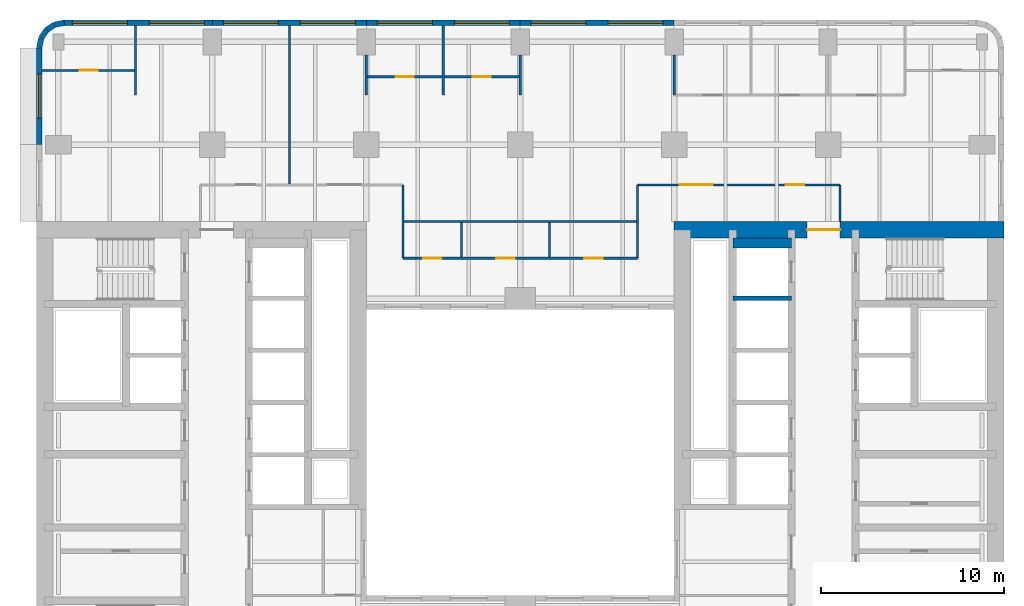
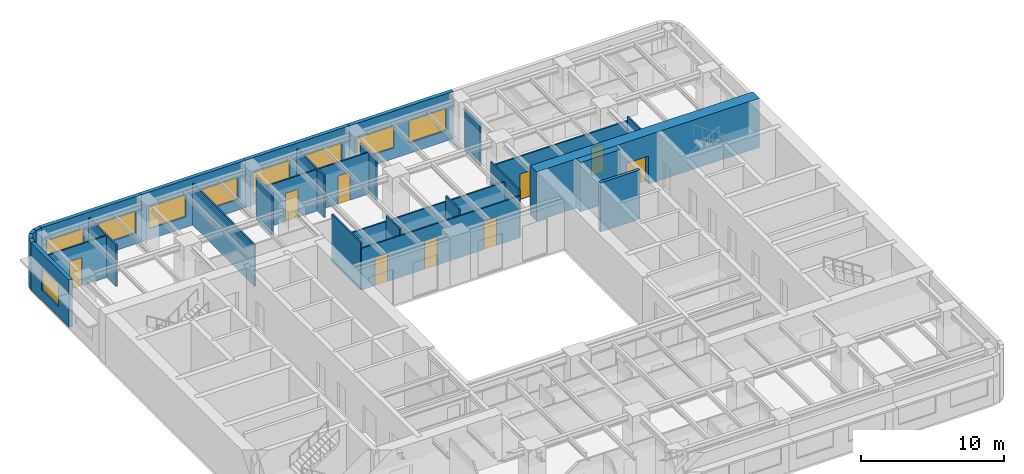
# One storey, part 7 of 11: 29 walls, 9 doors, 9 windows, 18 openings.
"""IFC4 building model written with IfcOpenShell, lengths in metres."""

from ifc_helpers import new_model, si_unit, direction, frame, frame_2d, origin, place, context, subcontext, project, spatial, rectangle, extrude, material, layer, layer_set, type_object, element, fill, save


model = new_model("IFC4")

# Units and contexts
model_context = context("Model", 3, precision=1e-05, world=origin(), true_north=direction((0.0, 1.0)))
body_context = subcontext(model_context, "Body", "Model", "MODEL_VIEW")
ifc_project = project(units=[si_unit("LENGTHUNIT", "METRE"), si_unit("AREAUNIT", "SQUARE_METRE"), si_unit("VOLUMEUNIT", "CUBIC_METRE"), si_unit("PLANEANGLEUNIT", "RADIAN"), si_unit("MASSUNIT", "GRAM", prefix="KILO")], contexts=[model_context])

# Site, building, storey
site_placement = place(None, origin())
site = spatial("IfcSite", under=ifc_project, at=site_placement, CompositionType="ELEMENT")
building_placement = place(site_placement, origin())
building = spatial("IfcBuilding", under=site, at=building_placement, Name="Claustro Exchange Tower", CompositionType="ELEMENT")
storey_placement = place(building_placement, frame((0.0, 0.0, 159.60009765625)))
storey = spatial("IfcBuildingStorey", under=building, at=storey_placement, Name="L36", CompositionType="ELEMENT", Elevation=159.60009765625)

# Wall, opening, door
ifc_material_1 = material(Name="Laminated glass in aluminium frame", Category="aluminium")
ifc_layer_1 = layer(ifc_material_1, 0.1201171875)
ifc_layer_set_1 = layer_set([ifc_layer_1], Name="Laminated glass in aluminium frame")
wall_type_1 = type_object("IfcWallType", Name="P2 120 glazed partition", PredefinedType="PARTITIONING", material=ifc_layer_set_1)
wall_1_placement = place(storey_placement, frame((-0.902099609375, 46.050048828125, 0.0), z_axis=(0.0, 0.0, 1.0), x_axis=(1.0, 0.0, 0.0)))
wall_1 = element("IfcWall", 1, at=wall_1_placement, inside=storey, type_object=wall_type_1, Name="Partition P2 L36", PredefinedType="PARTITIONING", context=body_context, shape_type="SweptSolid", body=[
    extrude(rectangle(XDim=5.044189453125, YDim=0.1201171875, at=frame_2d((2.52197265625, 0.0))), origin(), (0.0, 0.0, 1.0), 3.559814453125),
])
opening_1_placement = place(wall_1_placement, frame((2.052001953125, 0.0, 0.0)))
opening_1 = element("IfcOpeningElement", 2, at=opening_1_placement, cuts=wall_1, Name="Opening D7", PredefinedType="OPENING", context=body_context, shape_type="SweptSolid", body=[
    extrude(rectangle(XDim=1.0, YDim=2.39990234375, at=frame_2d((0.5, 1.199951171875))), frame((0.0, 0.070068359375, 0.0), z_axis=(0.0, -1.0, 0.0), x_axis=(1.0, 0.0, 0.0)), (0.0, 0.0, 1.0), 0.14013671875),
])
ifc_material_2 = material(Name="Glass door in aluminium frame", Category="aluminium")
door_type_1 = type_object("IfcDoorType", Name="D7 1000 x 2400 glazed door", OperationType="SINGLE_SWING_LEFT", PredefinedType="DOOR", material=ifc_material_2)
door_1_placement = place(opening_1_placement, origin())
door_1 = element("IfcDoor", 3, at=door_1_placement, inside=storey, type_object=door_type_1, Name="Door D7 L36", OperationType="SINGLE_SWING_RIGHT", OverallHeight=2.39990234375, OverallWidth=1.0, PredefinedType="DOOR", context=body_context, shape_type="SweptSolid", body=[
    extrude(rectangle(XDim=1.0, YDim=2.39990234375, at=frame_2d((0.5, 1.199951171875))), frame((0.0, 0.02490234375, 0.0), z_axis=(0.0, -1.0, 0.0), x_axis=(1.0, 0.0, 0.0)), (0.0, 0.0, 1.0), 0.050048828125),
])
fill(opening_1, door_1)

# Wall
wall_2_placement = place(storey_placement, frame((4.199951171875, 44.699951171875, 0.0), z_axis=(0.0, 0.0, 1.0), x_axis=(0.0, 1.0, 0.0)))
element("IfcWall", 4, at=wall_2_placement, inside=storey, type_object=wall_type_1, Name="Partition P2 L36", PredefinedType="PARTITIONING", context=body_context, shape_type="SweptSolid", body=[
    extrude(rectangle(XDim=3.802001953125, YDim=0.1201171875, at=frame_2d((1.90087890625, 0.0))), origin(), (0.0, 0.0, 1.0), 3.559814453125),
])

# Wall, opening, door
wall_3_placement = place(storey_placement, frame((16.85791015625, 45.699951171875, 0.0), z_axis=(0.0, 0.0, 1.0), x_axis=(1.0, 0.0, 0.0)))
wall_3 = element("IfcWall", 5, at=wall_3_placement, inside=storey, type_object=wall_type_1, Name="Partition P2 L36", PredefinedType="PARTITIONING", context=body_context, shape_type="SweptSolid", body=[
    extrude(rectangle(XDim=4.083984375, YDim=0.1201171875, at=frame_2d((2.0419921875, 0.0))), origin(), (0.0, 0.0, 1.0), 3.5498046875),
])
opening_2_placement = place(wall_3_placement, frame((1.5419921875, 0.0, 0.0)))
opening_2 = element("IfcOpeningElement", 6, at=opening_2_placement, cuts=wall_3, Name="Opening D7", PredefinedType="OPENING", context=body_context, shape_type="SweptSolid", body=[
    extrude(rectangle(XDim=1.0, YDim=2.39990234375, at=frame_2d((0.5, 1.199951171875))), frame((0.0, 0.070068359375, 0.0), z_axis=(0.0, -1.0, 0.0), x_axis=(1.0, 0.0, 0.0)), (0.0, 0.0, 1.0), 0.14013671875),
])
door_2_placement = place(opening_2_placement, origin())
door_2 = element("IfcDoor", 7, at=door_2_placement, inside=storey, type_object=door_type_1, Name="Door D7 L36", OperationType="SINGLE_SWING_RIGHT", OverallHeight=2.39990234375, OverallWidth=1.0, PredefinedType="DOOR", context=body_context, shape_type="SweptSolid", body=[
    extrude(rectangle(XDim=1.0, YDim=2.39990234375, at=frame_2d((0.5, 1.199951171875))), frame((0.0, 0.02490234375, 0.0), z_axis=(0.0, -1.0, 0.0), x_axis=(1.0, 0.0, 0.0)), (0.0, 0.0, 1.0), 0.050048828125),
])
fill(opening_2, door_2)

wall_4_placement = place(storey_placement, frame((21.05810546875, 45.699951171875, 0.0), z_axis=(0.0, 0.0, 1.0), x_axis=(1.0, 0.0, 0.0)))
wall_4 = element("IfcWall", 8, at=wall_4_placement, inside=storey, type_object=wall_type_1, Name="Partition P2 L36", PredefinedType="PARTITIONING", context=body_context, shape_type="SweptSolid", body=[
    extrude(rectangle(XDim=4.083984375, YDim=0.1201171875, at=frame_2d((2.0419921875, 0.0))), origin(), (0.0, 0.0, 1.0), 3.5498046875),
])
opening_3_placement = place(wall_4_placement, frame((1.5419921875, 0.0, 0.0)))
opening_3 = element("IfcOpeningElement", 9, at=opening_3_placement, cuts=wall_4, Name="Opening D7", PredefinedType="OPENING", context=body_context, shape_type="SweptSolid", body=[
    extrude(rectangle(XDim=1.0, YDim=2.39990234375, at=frame_2d((0.5, 1.199951171875))), frame((0.0, 0.070068359375, 0.0), z_axis=(0.0, -1.0, 0.0), x_axis=(1.0, 0.0, 0.0)), (0.0, 0.0, 1.0), 0.14013671875),
])
door_3_placement = place(opening_3_placement, origin())
door_3 = element("IfcDoor", 10, at=door_3_placement, inside=storey, type_object=door_type_1, Name="Door D7 L36", OperationType="SINGLE_SWING_RIGHT", OverallHeight=2.39990234375, OverallWidth=1.0, PredefinedType="DOOR", context=body_context, shape_type="SweptSolid", body=[
    extrude(rectangle(XDim=1.0, YDim=2.39990234375, at=frame_2d((0.5, 1.199951171875))), frame((0.0, 0.02490234375, 0.0), z_axis=(0.0, -1.0, 0.0), x_axis=(1.0, 0.0, 0.0)), (0.0, 0.0, 1.0), 0.050048828125),
])
fill(opening_3, door_3)

# Walls
wall_5_placement = place(storey_placement, frame((16.800048828125, 44.699951171875, 0.0), z_axis=(0.0, 0.0, 1.0), x_axis=(0.0, 1.0, 0.0)))
element("IfcWall", 11, at=wall_5_placement, inside=storey, type_object=wall_type_1, Name="Partition P2 L36", PredefinedType="PARTITIONING", context=body_context, shape_type="SweptSolid", body=[
    extrude(rectangle(XDim=2.200927734375, YDim=0.1201171875, at=frame_2d((1.1005859375, 0.0))), origin(), (0.0, 0.0, 1.0), 3.5498046875),
])
wall_6_placement = place(storey_placement, frame((21.0, 44.699951171875, 0.0), z_axis=(0.0, 0.0, 1.0), x_axis=(0.0, 1.0, 0.0)))
element("IfcWall", 12, at=wall_6_placement, inside=storey, type_object=wall_type_1, Name="Partition P2 L36", PredefinedType="PARTITIONING", context=body_context, shape_type="SweptSolid", body=[
    extrude(rectangle(XDim=3.802001953125, YDim=0.1201171875, at=frame_2d((1.90087890625, 0.0))), origin(), (0.0, 0.0, 1.0), 3.559814453125),
])
for number, where, z_axis, x_axis, name in (
    (13, (25.199951171875, 44.699951171875, 0.0), (0.0, 0.0, 1.0), (0.0, 1.0, 0.0), "Partition P2 L36"),
    (14, (33.60009765625, 44.699951171875, 0.0), (0.0, 0.0, 1.0), (0.0, 1.0, 0.0), "Partition P2 L36"),
):
    element("IfcWall", number, at=place(storey_placement, frame(where, z_axis=z_axis, x_axis=x_axis)), inside=storey, type_object=wall_type_1, Name=name, PredefinedType="PARTITIONING", context=body_context, shape_type="SweptSolid", body=[
        extrude(rectangle(XDim=2.200927734375, YDim=0.1201171875, at=frame_2d((1.1005859375, 0.0))), origin(), (0.0, 0.0, 1.0), 3.5498046875),
    ])
wall_7_placement = place(storey_placement, frame((12.60009765625, 39.85791015625, 0.0), z_axis=(0.0, 0.0, 1.0), x_axis=(0.0, 1.0, 0.0)))
element("IfcWall", 15, at=wall_7_placement, inside=storey, type_object=wall_type_1, Name="Partition P2 L36", PredefinedType="PARTITIONING", context=body_context, shape_type="SweptSolid", body=[
    extrude(rectangle(XDim=8.64404296875, YDim=0.1201171875, at=frame_2d((4.322021484375, 0.0))), origin(), (0.0, 0.0, 1.0), 3.5498046875),
])

# Wall, openings, doors
wall_8_placement = place(storey_placement, frame((31.60009765625, 39.800048828125, 0.0), z_axis=(0.0, 0.0, 1.0), x_axis=(1.0, 0.0, 0.0)))
wall_8 = element("IfcWall", 16, at=wall_8_placement, inside=storey, type_object=wall_type_1, Name="Partition P2 L36", PredefinedType="PARTITIONING", context=body_context, shape_type="SweptSolid", body=[
    extrude(rectangle(XDim=11.0498046875, YDim=0.1201171875, at=frame_2d((5.52490234375, 0.0))), origin(), (0.0, 0.0, 1.0), 3.68994140625),
])
opening_4_placement = place(wall_8_placement, frame((2.300048828125, 0.0, 0.0)))
opening_4 = element("IfcOpeningElement", 17, at=opening_4_placement, cuts=wall_8, Name="Opening D2", PredefinedType="OPENING", context=body_context, shape_type="SweptSolid", body=[
    extrude(rectangle(XDim=1.800048828125, YDim=2.199951171875, at=frame_2d((0.89990234375, 1.10009765625))), frame((0.0, 0.070068359375, 0.0), z_axis=(0.0, -1.0, 0.0), x_axis=(1.0, 0.0, 0.0)), (0.0, 0.0, 1.0), 0.14013671875),
])
opening_5_placement = place(wall_8_placement, frame((8.10009765625, 0.0, 0.0)))
opening_5 = element("IfcOpeningElement", 18, at=opening_5_placement, cuts=wall_8, Name="Opening D7", PredefinedType="OPENING", context=body_context, shape_type="SweptSolid", body=[
    extrude(rectangle(XDim=1.0, YDim=2.39990234375, at=frame_2d((0.5, 1.199951171875))), frame((0.0, 0.070068359375, 0.0), z_axis=(0.0, -1.0, 0.0), x_axis=(1.0, 0.0, 0.0)), (0.0, 0.0, 1.0), 0.14013671875),
])
ifc_material_3 = material(Name="Timber door, oak veneer", Category="wood")
door_type_2 = type_object("IfcDoorType", Name="D2 1800 x 2200 double door", OperationType="DOUBLE_DOOR_SINGLE_SWING", PredefinedType="DOOR", material=ifc_material_3)
door_4_placement = place(opening_4_placement, origin())
door_4 = element("IfcDoor", 19, at=door_4_placement, inside=storey, type_object=door_type_2, Name="Double door D2 L36", OperationType="DOUBLE_DOOR_SINGLE_SWING", OverallHeight=2.199951171875, OverallWidth=1.800048828125, PredefinedType="DOOR", context=body_context, shape_type="SweptSolid", body=[
    extrude(rectangle(XDim=1.800048828125, YDim=2.199951171875, at=frame_2d((0.89990234375, 1.10009765625))), frame((0.0, 0.02490234375, 0.0), z_axis=(0.0, -1.0, 0.0), x_axis=(1.0, 0.0, 0.0)), (0.0, 0.0, 1.0), 0.050048828125),
])
fill(opening_4, door_4)
door_5_placement = place(opening_5_placement, origin())
door_5 = element("IfcDoor", 20, at=door_5_placement, inside=storey, type_object=door_type_1, Name="Door D7 L36", OperationType="SINGLE_SWING_RIGHT", OverallHeight=2.39990234375, OverallWidth=1.0, PredefinedType="DOOR", context=body_context, shape_type="SweptSolid", body=[
    extrude(rectangle(XDim=1.0, YDim=2.39990234375, at=frame_2d((0.5, 1.199951171875))), frame((0.0, 0.02490234375, 0.0), z_axis=(0.0, -1.0, 0.0), x_axis=(1.0, 0.0, 0.0)), (0.0, 0.0, 1.0), 0.050048828125),
])
fill(opening_5, door_5)

# Walls
wall_9_placement = place(storey_placement, frame((42.64990234375, 37.800048828125, 0.0), z_axis=(0.0, 0.0, 1.0), x_axis=(0.0, 1.0, 0.0)))
element("IfcWall", 21, at=wall_9_placement, inside=storey, type_object=wall_type_1, Name="Partition P2 L36", PredefinedType="PARTITIONING", context=body_context, shape_type="SweptSolid", body=[
    extrude(rectangle(XDim=2.0, YDim=0.1201171875, at=frame_2d((1.0, 0.0))), origin(), (0.0, 0.0, 1.0), 4.0498046875),
])
for number, where, z_axis, x_axis, name in (
    (22, (18.800048828125, 35.800048828125, 0.0), (0.0, 0.0, 1.0), (0.0, 1.0, 0.0), "Partition P2 L36"),
    (23, (31.60009765625, 35.800048828125, 0.0), (0.0, 0.0, 1.0), (0.0, 1.0, 0.0), "Partition P2 L36"),
):
    element("IfcWall", number, at=place(storey_placement, frame(where, z_axis=z_axis, x_axis=x_axis)), inside=storey, type_object=wall_type_1, Name=name, PredefinedType="PARTITIONING", context=body_context, shape_type="SweptSolid", body=[
        extrude(rectangle(XDim=4.0, YDim=0.1201171875, at=frame_2d((2.0, 0.0))), origin(), (0.0, 0.0, 1.0), 4.0498046875),
    ])
for number, where, z_axis, x_axis, name in (
    (24, (22.0, 35.85791015625, 0.0), (0.0, 0.0, 1.0), (0.0, 1.0, 0.0), "Partition P2 L36"),
    (25, (26.800048828125, 35.85791015625, 0.0), (0.0, 0.0, 1.0), (0.0, 1.0, 0.0), "Partition P2 L36"),
):
    element("IfcWall", number, at=place(storey_placement, frame(where, z_axis=z_axis, x_axis=x_axis)), inside=storey, type_object=wall_type_1, Name=name, PredefinedType="PARTITIONING", context=body_context, shape_type="SweptSolid", body=[
        extrude(rectangle(XDim=1.884033203125, YDim=0.1201171875, at=frame_2d((0.94189453125, 0.0))), origin(), (0.0, 0.0, 1.0), 4.0498046875),
    ])

# Wall, openings, doors
wall_10_placement = place(storey_placement, frame((18.800048828125, 35.800048828125, 0.0), z_axis=(0.0, 0.0, 1.0), x_axis=(1.0, 0.0, 0.0)))
wall_10 = element("IfcWall", 26, at=wall_10_placement, inside=storey, type_object=wall_type_1, Name="Partition P2 L36", PredefinedType="PARTITIONING", context=body_context, shape_type="SweptSolid", body=[
    extrude(rectangle(XDim=12.800048828125, YDim=0.1201171875, at=frame_2d((6.39990234375, 0.0))), origin(), (0.0, 0.0, 1.0), 3.5498046875),
])
opening_6_placement = place(wall_10_placement, frame((1.10009765625, 0.0, 0.0)))
opening_6 = element("IfcOpeningElement", 27, at=opening_6_placement, cuts=wall_10, Name="Opening D7", PredefinedType="OPENING", context=body_context, shape_type="SweptSolid", body=[
    extrude(rectangle(XDim=1.0, YDim=2.39990234375, at=frame_2d((0.5, 1.199951171875))), frame((0.0, 0.070068359375, 0.0), z_axis=(0.0, -1.0, 0.0), x_axis=(1.0, 0.0, 0.0)), (0.0, 0.0, 1.0), 0.14013671875),
])
opening_7_placement = place(wall_10_placement, frame((5.10009765625, 0.0, 0.0)))
opening_7 = element("IfcOpeningElement", 28, at=opening_7_placement, cuts=wall_10, Name="Opening D7", PredefinedType="OPENING", context=body_context, shape_type="SweptSolid", body=[
    extrude(rectangle(XDim=1.0, YDim=2.39990234375, at=frame_2d((0.5, 1.199951171875))), frame((0.0, 0.070068359375, 0.0), z_axis=(0.0, -1.0, 0.0), x_axis=(1.0, 0.0, 0.0)), (0.0, 0.0, 1.0), 0.14013671875),
])
opening_8_placement = place(wall_10_placement, frame((9.89990234375, 0.0, 0.0)))
opening_8 = element("IfcOpeningElement", 29, at=opening_8_placement, cuts=wall_10, Name="Opening D7", PredefinedType="OPENING", context=body_context, shape_type="SweptSolid", body=[
    extrude(rectangle(XDim=1.0, YDim=2.39990234375, at=frame_2d((0.5, 1.199951171875))), frame((0.0, 0.070068359375, 0.0), z_axis=(0.0, -1.0, 0.0), x_axis=(1.0, 0.0, 0.0)), (0.0, 0.0, 1.0), 0.14013671875),
])
door_6_placement = place(opening_6_placement, origin())
door_6 = element("IfcDoor", 30, at=door_6_placement, inside=storey, type_object=door_type_1, Name="Door D7 L36", OperationType="SINGLE_SWING_RIGHT", OverallHeight=2.39990234375, OverallWidth=1.0, PredefinedType="DOOR", context=body_context, shape_type="SweptSolid", body=[
    extrude(rectangle(XDim=1.0, YDim=2.39990234375, at=frame_2d((0.5, 1.199951171875))), frame((0.0, 0.02490234375, 0.0), z_axis=(0.0, -1.0, 0.0), x_axis=(1.0, 0.0, 0.0)), (0.0, 0.0, 1.0), 0.050048828125),
])
fill(opening_6, door_6)
door_7_placement = place(opening_7_placement, origin())
door_7 = element("IfcDoor", 31, at=door_7_placement, inside=storey, type_object=door_type_1, Name="Door D7 L36", OperationType="SINGLE_SWING_LEFT", OverallHeight=2.39990234375, OverallWidth=1.0, PredefinedType="DOOR", context=body_context, shape_type="SweptSolid", body=[
    extrude(rectangle(XDim=1.0, YDim=2.39990234375, at=frame_2d((0.5, 1.199951171875))), frame((0.0, 0.02490234375, 0.0), z_axis=(0.0, -1.0, 0.0), x_axis=(1.0, 0.0, 0.0)), (0.0, 0.0, 1.0), 0.050048828125),
])
fill(opening_7, door_7)
door_8_placement = place(opening_8_placement, origin())
door_8 = element("IfcDoor", 32, at=door_8_placement, inside=storey, type_object=door_type_1, Name="Door D7 L36", OperationType="SINGLE_SWING_LEFT", OverallHeight=2.39990234375, OverallWidth=1.0, PredefinedType="DOOR", context=body_context, shape_type="SweptSolid", body=[
    extrude(rectangle(XDim=1.0, YDim=2.39990234375, at=frame_2d((0.5, 1.199951171875))), frame((0.0, 0.02490234375, 0.0), z_axis=(0.0, -1.0, 0.0), x_axis=(1.0, 0.0, 0.0)), (0.0, 0.0, 1.0), 0.050048828125),
])
fill(opening_8, door_8)

# Wall
wall_11_placement = place(storey_placement, frame((18.85791015625, 37.800048828125, 0.0), z_axis=(0.0, 0.0, 1.0), x_axis=(1.0, 0.0, 0.0)))
element("IfcWall", 33, at=wall_11_placement, inside=storey, type_object=wall_type_1, Name="Partition P2 L36", PredefinedType="PARTITIONING", context=body_context, shape_type="SweptSolid", body=[
    extrude(rectangle(XDim=12.68408203125, YDim=0.1201171875, at=frame_2d((6.342041015625, 0.0))), origin(), (0.0, 0.0, 1.0), 3.5498046875),
])

# Wall, opening, window
ifc_material_4 = material(Name="Concrete HA-40 (C40/50), precast, white cement, acid-etched", Category="concrete")
ifc_layer_2 = layer(ifc_material_4, 0.300048828125)
ifc_layer_set_2 = layer_set([ifc_layer_2], Name="Concrete HA-40 (C40/50), precast, white cement, acid-etched")
wall_type_2 = type_object("IfcWallType", Name="PC1 300 precast concrete pier panel", PredefinedType="SOLIDWALL", material=ifc_layer_set_2)
wall_12_placement = place(storey_placement, frame((-1.050048828125, 42.0, 0.0), z_axis=(0.0, 0.0, 1.0), x_axis=(0.0, 1.0, 0.0)))
wall_12 = element("IfcWall", 34, at=wall_12_placement, inside=storey, type_object=wall_type_2, Name="Precast pier panel PC1 L36", PredefinedType="SOLIDWALL", context=body_context, shape_type="SweptSolid", body=[
    extrude(rectangle(XDim=5.28515625, YDim=0.300048828125, at=frame_2d((2.642578125, 0.0))), origin(), (0.0, 0.0, 1.0), 4.0498046875),
])
opening_9_placement = place(wall_12_placement, frame((1.442626953125, 0.0, 0.89990234375)))
opening_9 = element("IfcOpeningElement", 35, at=opening_9_placement, cuts=wall_12, Name="Opening W2", PredefinedType="OPENING", context=body_context, shape_type="SweptSolid", body=[
    extrude(rectangle(XDim=2.39990234375, YDim=1.89990234375, at=frame_2d((1.199951171875, 0.949951171875))), frame((0.0, 0.159912109375, 0.0), z_axis=(0.0, -1.0, 0.0), x_axis=(1.0, 0.0, 0.0)), (0.0, 0.0, 1.0), 0.320068359375),
])
ifc_material_5 = material(Name="Aluminium frame, clear double glazing", Category="aluminium")
window_type_1 = type_object("IfcWindowType", Name="W2 2400 x 1900 window", PartitioningType="SINGLE_PANEL", PredefinedType="WINDOW", material=ifc_material_5)
window_1_placement = place(opening_9_placement, origin())
window_1 = element("IfcWindow", 36, at=window_1_placement, inside=storey, type_object=window_type_1, Name="Window W2 L36", OverallHeight=1.89990234375, OverallWidth=2.39990234375, PartitioningType="SINGLE_PANEL", PredefinedType="WINDOW", context=body_context, shape_type="SweptSolid", body=[
    extrude(rectangle(XDim=2.39990234375, YDim=1.89990234375, at=frame_2d((1.199951171875, 0.949951171875))), frame((0.0, 0.030029296875, 0.0), z_axis=(0.0, -1.0, 0.0), x_axis=(1.0, 0.0, 0.0)), (0.0, 0.0, 1.0), 0.06005859375),
])
fill(opening_9, window_1)

# Walls
wall_13_placement = place(storey_placement, frame((-1.050048828125, 47.28515625, 0.0), z_axis=(0.0, 0.0, 1.0), x_axis=(0.195073962632, 0.980788534345, 0.0)))
element("IfcWall", 37, at=wall_13_placement, inside=storey, type_object=wall_type_2, Name="Precast pier panel PC1 L36", PredefinedType="SOLIDWALL", context=body_context, shape_type="SweptSolid", body=[
    extrude(rectangle(XDim=0.540771484375, YDim=0.300048828125, at=frame_2d((0.2705078125, 0.0))), origin(), (0.0, 0.0, 1.0), 4.0498046875),
])
wall_14_placement = place(storey_placement, frame((-0.944580078125, 47.8154296875, 0.0), z_axis=(0.0, 0.0, 1.0), x_axis=(0.55534295404, 0.831621430339, 0.0)))
element("IfcWall", 38, at=wall_14_placement, inside=storey, type_object=wall_type_2, Name="Precast pier panel PC1 L36", PredefinedType="SOLIDWALL", context=body_context, shape_type="SweptSolid", body=[
    extrude(rectangle(XDim=0.52587890625, YDim=0.300048828125, at=frame_2d((0.262939453125, 0.0))), origin(), (0.0, 0.0, 1.0), 4.0498046875),
])
wall_15_placement = place(storey_placement, frame((-0.652587890625, 48.252685546875, 0.0), z_axis=(0.0, 0.0, 1.0), x_axis=(0.831692711774, 0.555236195849, 0.0)))
element("IfcWall", 39, at=wall_15_placement, inside=storey, type_object=wall_type_2, Name="Precast pier panel PC1 L36", PredefinedType="SOLIDWALL", context=body_context, shape_type="SweptSolid", body=[
    extrude(rectangle(XDim=0.525390625, YDim=0.300048828125, at=frame_2d((0.2626953125, 0.0))), origin(), (0.0, 0.0, 1.0), 4.0498046875),
])
wall_16_placement = place(storey_placement, frame((-0.215576171875, 48.54443359375, 0.0), z_axis=(0.0, 0.0, 1.0), x_axis=(0.980788534345, 0.195073962632, 0.0)))
element("IfcWall", 40, at=wall_16_placement, inside=storey, type_object=wall_type_2, Name="Precast pier panel PC1 L36", PredefinedType="SOLIDWALL", context=body_context, shape_type="SweptSolid", body=[
    extrude(rectangle(XDim=0.540771484375, YDim=0.300048828125, at=frame_2d((0.2705078125, 0.0))), origin(), (0.0, 0.0, 1.0), 4.0498046875),
])

# Wall, openings, windows
wall_17_placement = place(storey_placement, frame((0.314697265625, 48.64990234375, 0.0), z_axis=(0.0, 0.0, 1.0), x_axis=(1.0, 0.0, 0.0)))
wall_17 = element("IfcWall", 41, at=wall_17_placement, inside=storey, type_object=wall_type_2, Name="Precast pier panel PC1 L36", PredefinedType="SOLIDWALL", context=body_context, shape_type="SweptSolid", body=[
    extrude(rectangle(XDim=8.085205078125, YDim=0.300048828125, at=frame_2d((4.04248046875, 0.0))), origin(), (0.0, 0.0, 1.0), 4.0498046875),
])
opening_10_placement = place(wall_17_placement, frame((0.442626953125, 0.0, 0.89990234375)))
opening_10 = element("IfcOpeningElement", 42, at=opening_10_placement, cuts=wall_17, Name="Opening W1", PredefinedType="OPENING", context=body_context, shape_type="SweptSolid", body=[
    extrude(rectangle(XDim=3.0, YDim=1.89990234375, at=frame_2d((1.5, 0.949951171875))), frame((0.0, 0.159912109375, 0.0), z_axis=(0.0, -1.0, 0.0), x_axis=(1.0, 0.0, 0.0)), (0.0, 0.0, 1.0), 0.320068359375),
])
opening_11_placement = place(wall_17_placement, frame((4.642578125, 0.0, 0.89990234375)))
opening_11 = element("IfcOpeningElement", 43, at=opening_11_placement, cuts=wall_17, Name="Opening W1", PredefinedType="OPENING", context=body_context, shape_type="SweptSolid", body=[
    extrude(rectangle(XDim=3.0, YDim=1.89990234375, at=frame_2d((1.5, 0.949951171875))), frame((0.0, 0.159912109375, 0.0), z_axis=(0.0, -1.0, 0.0), x_axis=(1.0, 0.0, 0.0)), (0.0, 0.0, 1.0), 0.320068359375),
])
ifc_material_6 = material(Name="Aluminium frame, clear double glazing", Category="aluminium")
window_type_2 = type_object("IfcWindowType", Name="W1 3000 x 1900 window", PartitioningType="SINGLE_PANEL", PredefinedType="WINDOW", material=ifc_material_6)
window_2_placement = place(opening_10_placement, origin())
window_2 = element("IfcWindow", 44, at=window_2_placement, inside=storey, type_object=window_type_2, Name="Window W1 L36", OverallHeight=1.89990234375, OverallWidth=3.0, PartitioningType="SINGLE_PANEL", PredefinedType="WINDOW", context=body_context, shape_type="SweptSolid", body=[
    extrude(rectangle(XDim=3.0, YDim=1.89990234375, at=frame_2d((1.5, 0.949951171875))), frame((0.0, 0.030029296875, 0.0), z_axis=(0.0, -1.0, 0.0), x_axis=(1.0, 0.0, 0.0)), (0.0, 0.0, 1.0), 0.06005859375),
])
fill(opening_10, window_2)
window_3_placement = place(opening_11_placement, origin())
window_3 = element("IfcWindow", 45, at=window_3_placement, inside=storey, type_object=window_type_2, Name="Window W1 L36", OverallHeight=1.89990234375, OverallWidth=3.0, PartitioningType="SINGLE_PANEL", PredefinedType="WINDOW", context=body_context, shape_type="SweptSolid", body=[
    extrude(rectangle(XDim=3.0, YDim=1.89990234375, at=frame_2d((1.5, 0.949951171875))), frame((0.0, 0.030029296875, 0.0), z_axis=(0.0, -1.0, 0.0), x_axis=(1.0, 0.0, 0.0)), (0.0, 0.0, 1.0), 0.06005859375),
])
fill(opening_11, window_3)

wall_18_placement = place(storey_placement, frame((8.39990234375, 48.64990234375, 0.0), z_axis=(0.0, 0.0, 1.0), x_axis=(1.0, 0.0, 0.0)))
wall_18 = element("IfcWall", 46, at=wall_18_placement, inside=storey, type_object=wall_type_2, Name="Precast pier panel PC1 L36", PredefinedType="SOLIDWALL", context=body_context, shape_type="SweptSolid", body=[
    extrude(rectangle(XDim=8.400146484375, YDim=0.300048828125, at=frame_2d((4.2001953125, 0.0))), origin(), (0.0, 0.0, 1.0), 4.0498046875),
])
opening_12_placement = place(wall_18_placement, frame((0.60009765625, 0.0, 0.89990234375)))
opening_12 = element("IfcOpeningElement", 47, at=opening_12_placement, cuts=wall_18, Name="Opening W1", PredefinedType="OPENING", context=body_context, shape_type="SweptSolid", body=[
    extrude(rectangle(XDim=3.0, YDim=1.89990234375, at=frame_2d((1.5, 0.949951171875))), frame((0.0, 0.159912109375, 0.0), z_axis=(0.0, -1.0, 0.0), x_axis=(1.0, 0.0, 0.0)), (0.0, 0.0, 1.0), 0.320068359375),
])
opening_13_placement = place(wall_18_placement, frame((4.800048828125, 0.0, 0.89990234375)))
opening_13 = element("IfcOpeningElement", 48, at=opening_13_placement, cuts=wall_18, Name="Opening W1", PredefinedType="OPENING", context=body_context, shape_type="SweptSolid", body=[
    extrude(rectangle(XDim=3.0, YDim=1.89990234375, at=frame_2d((1.5, 0.949951171875))), frame((0.0, 0.159912109375, 0.0), z_axis=(0.0, -1.0, 0.0), x_axis=(1.0, 0.0, 0.0)), (0.0, 0.0, 1.0), 0.320068359375),
])
window_4_placement = place(opening_12_placement, origin())
window_4 = element("IfcWindow", 49, at=window_4_placement, inside=storey, type_object=window_type_2, Name="Window W1 L36", OverallHeight=1.89990234375, OverallWidth=3.0, PartitioningType="SINGLE_PANEL", PredefinedType="WINDOW", context=body_context, shape_type="SweptSolid", body=[
    extrude(rectangle(XDim=3.0, YDim=1.89990234375, at=frame_2d((1.5, 0.949951171875))), frame((0.0, 0.030029296875, 0.0), z_axis=(0.0, -1.0, 0.0), x_axis=(1.0, 0.0, 0.0)), (0.0, 0.0, 1.0), 0.06005859375),
])
fill(opening_12, window_4)
window_5_placement = place(opening_13_placement, origin())
window_5 = element("IfcWindow", 50, at=window_5_placement, inside=storey, type_object=window_type_2, Name="Window W1 L36", OverallHeight=1.89990234375, OverallWidth=3.0, PartitioningType="SINGLE_PANEL", PredefinedType="WINDOW", context=body_context, shape_type="SweptSolid", body=[
    extrude(rectangle(XDim=3.0, YDim=1.89990234375, at=frame_2d((1.5, 0.949951171875))), frame((0.0, 0.030029296875, 0.0), z_axis=(0.0, -1.0, 0.0), x_axis=(1.0, 0.0, 0.0)), (0.0, 0.0, 1.0), 0.06005859375),
])
fill(opening_13, window_5)

wall_19_placement = place(storey_placement, frame((16.800048828125, 48.64990234375, 0.0), z_axis=(0.0, 0.0, 1.0), x_axis=(1.0, 0.0, 0.0)))
wall_19 = element("IfcWall", 51, at=wall_19_placement, inside=storey, type_object=wall_type_2, Name="Precast pier panel PC1 L36", PredefinedType="SOLIDWALL", context=body_context, shape_type="SweptSolid", body=[
    extrude(rectangle(XDim=8.39990234375, YDim=0.300048828125, at=frame_2d((4.199951171875, 0.0))), origin(), (0.0, 0.0, 1.0), 4.0498046875),
])
opening_14_placement = place(wall_19_placement, frame((0.60009765625, 0.0, 0.89990234375)))
opening_14 = element("IfcOpeningElement", 52, at=opening_14_placement, cuts=wall_19, Name="Opening W1", PredefinedType="OPENING", context=body_context, shape_type="SweptSolid", body=[
    extrude(rectangle(XDim=3.0, YDim=1.89990234375, at=frame_2d((1.5, 0.949951171875))), frame((0.0, 0.159912109375, 0.0), z_axis=(0.0, -1.0, 0.0), x_axis=(1.0, 0.0, 0.0)), (0.0, 0.0, 1.0), 0.320068359375),
])
opening_15_placement = place(wall_19_placement, frame((4.800048828125, 0.0, 0.89990234375)))
opening_15 = element("IfcOpeningElement", 53, at=opening_15_placement, cuts=wall_19, Name="Opening W1", PredefinedType="OPENING", context=body_context, shape_type="SweptSolid", body=[
    extrude(rectangle(XDim=3.0, YDim=1.89990234375, at=frame_2d((1.5, 0.949951171875))), frame((0.0, 0.159912109375, 0.0), z_axis=(0.0, -1.0, 0.0), x_axis=(1.0, 0.0, 0.0)), (0.0, 0.0, 1.0), 0.320068359375),
])
window_6_placement = place(opening_14_placement, origin())
window_6 = element("IfcWindow", 54, at=window_6_placement, inside=storey, type_object=window_type_2, Name="Window W1 L36", OverallHeight=1.89990234375, OverallWidth=3.0, PartitioningType="SINGLE_PANEL", PredefinedType="WINDOW", context=body_context, shape_type="SweptSolid", body=[
    extrude(rectangle(XDim=3.0, YDim=1.89990234375, at=frame_2d((1.5, 0.949951171875))), frame((0.0, 0.030029296875, 0.0), z_axis=(0.0, -1.0, 0.0), x_axis=(1.0, 0.0, 0.0)), (0.0, 0.0, 1.0), 0.06005859375),
])
fill(opening_14, window_6)
window_7_placement = place(opening_15_placement, origin())
window_7 = element("IfcWindow", 55, at=window_7_placement, inside=storey, type_object=window_type_2, Name="Window W1 L36", OverallHeight=1.89990234375, OverallWidth=3.0, PartitioningType="SINGLE_PANEL", PredefinedType="WINDOW", context=body_context, shape_type="SweptSolid", body=[
    extrude(rectangle(XDim=3.0, YDim=1.89990234375, at=frame_2d((1.5, 0.949951171875))), frame((0.0, 0.030029296875, 0.0), z_axis=(0.0, -1.0, 0.0), x_axis=(1.0, 0.0, 0.0)), (0.0, 0.0, 1.0), 0.06005859375),
])
fill(opening_15, window_7)

wall_20_placement = place(storey_placement, frame((25.199951171875, 48.64990234375, 0.0), z_axis=(0.0, 0.0, 1.0), x_axis=(1.0, 0.0, 0.0)))
wall_20 = element("IfcWall", 56, at=wall_20_placement, inside=storey, type_object=wall_type_2, Name="Precast pier panel PC1 L36", PredefinedType="SOLIDWALL", context=body_context, shape_type="SweptSolid", body=[
    extrude(rectangle(XDim=8.400146484375, YDim=0.300048828125, at=frame_2d((4.2001953125, 0.0))), origin(), (0.0, 0.0, 1.0), 4.0498046875),
])
opening_16_placement = place(wall_20_placement, frame((0.60009765625, 0.0, 0.89990234375)))
opening_16 = element("IfcOpeningElement", 57, at=opening_16_placement, cuts=wall_20, Name="Opening W1", PredefinedType="OPENING", context=body_context, shape_type="SweptSolid", body=[
    extrude(rectangle(XDim=3.0, YDim=1.89990234375, at=frame_2d((1.5, 0.949951171875))), frame((0.0, 0.159912109375, 0.0), z_axis=(0.0, -1.0, 0.0), x_axis=(1.0, 0.0, 0.0)), (0.0, 0.0, 1.0), 0.320068359375),
])
opening_17_placement = place(wall_20_placement, frame((4.800048828125, 0.0, 0.89990234375)))
opening_17 = element("IfcOpeningElement", 58, at=opening_17_placement, cuts=wall_20, Name="Opening W1", PredefinedType="OPENING", context=body_context, shape_type="SweptSolid", body=[
    extrude(rectangle(XDim=3.0, YDim=1.89990234375, at=frame_2d((1.5, 0.949951171875))), frame((0.0, 0.159912109375, 0.0), z_axis=(0.0, -1.0, 0.0), x_axis=(1.0, 0.0, 0.0)), (0.0, 0.0, 1.0), 0.320068359375),
])
window_8_placement = place(opening_16_placement, origin())
window_8 = element("IfcWindow", 59, at=window_8_placement, inside=storey, type_object=window_type_2, Name="Window W1 L36", OverallHeight=1.89990234375, OverallWidth=3.0, PartitioningType="SINGLE_PANEL", PredefinedType="WINDOW", context=body_context, shape_type="SweptSolid", body=[
    extrude(rectangle(XDim=3.0, YDim=1.89990234375, at=frame_2d((1.5, 0.949951171875))), frame((0.0, 0.030029296875, 0.0), z_axis=(0.0, -1.0, 0.0), x_axis=(1.0, 0.0, 0.0)), (0.0, 0.0, 1.0), 0.06005859375),
])
fill(opening_16, window_8)
window_9_placement = place(opening_17_placement, origin())
window_9 = element("IfcWindow", 60, at=window_9_placement, inside=storey, type_object=window_type_2, Name="Window W1 L36", OverallHeight=1.89990234375, OverallWidth=3.0, PartitioningType="SINGLE_PANEL", PredefinedType="WINDOW", context=body_context, shape_type="SweptSolid", body=[
    extrude(rectangle(XDim=3.0, YDim=1.89990234375, at=frame_2d((1.5, 0.949951171875))), frame((0.0, 0.030029296875, 0.0), z_axis=(0.0, -1.0, 0.0), x_axis=(1.0, 0.0, 0.0)), (0.0, 0.0, 1.0), 0.06005859375),
])
fill(opening_17, window_9)

# Wall, opening, door
ifc_material_7 = material(Name="Concrete HA-70 (C70/85)", Category="concrete")
ifc_layer_3 = layer(ifc_material_7, 0.89990234375)
ifc_layer_set_3 = layer_set([ifc_layer_3], Name="Concrete HA-70 (C70/85)")
wall_type_3 = type_object("IfcWallType", Name="SW1 900 core shear wall", PredefinedType="SHEAR", material=ifc_layer_set_3)
wall_21_placement = place(storey_placement, frame((33.60009765625, 37.35009765625, 0.0), z_axis=(0.0, 0.0, 1.0), x_axis=(1.0, 0.0, 0.0)))
wall_21 = element("IfcWall", 61, at=wall_21_placement, inside=storey, type_object=wall_type_3, Name="Core wall SW1 E core N face L36", PredefinedType="SHEAR", context=body_context, shape_type="SweptSolid", body=[
    extrude(rectangle(XDim=18.0, YDim=0.89990234375, at=frame_2d((9.0, 0.0))), origin(), (0.0, 0.0, 1.0), 4.199951171875),
])
opening_18_placement = place(wall_21_placement, frame((7.25, 0.0, 0.0)))
opening_18 = element("IfcOpeningElement", 62, at=opening_18_placement, cuts=wall_21, Name="Opening D3", PredefinedType="OPENING", context=body_context, shape_type="SweptSolid", body=[
    extrude(rectangle(XDim=1.800048828125, YDim=2.39990234375, at=frame_2d((0.89990234375, 1.199951171875))), frame((0.0, 0.4599609375, 0.0), z_axis=(0.0, -1.0, 0.0), x_axis=(1.0, 0.0, 0.0)), (0.0, 0.0, 1.0), 0.919921875),
])
ifc_material_8 = material(Name="Steel fire door, painted", Category="steel")
door_type_3 = type_object("IfcDoorType", Name="D3 1800 x 2400 fire-rated lobby double door", OperationType="DOUBLE_DOOR_SINGLE_SWING", PredefinedType="DOOR", material=ifc_material_8)
door_9_placement = place(opening_18_placement, frame((1.800048828125, 0.0, 0.0), z_axis=(0.0, 0.0, 1.0), x_axis=(-1.0, 0.0, 0.0)))
door_9 = element("IfcDoor", 63, at=door_9_placement, inside=storey, type_object=door_type_3, Name="Lift lobby door D3 L36", OperationType="DOUBLE_DOOR_SINGLE_SWING", OverallHeight=2.39990234375, OverallWidth=1.800048828125, PredefinedType="DOOR", context=body_context, shape_type="SweptSolid", body=[
    extrude(rectangle(XDim=1.800048828125, YDim=2.39990234375, at=frame_2d((0.89990234375, 1.199951171875))), frame((0.0, 0.02490234375, 0.0), z_axis=(0.0, -1.0, 0.0), x_axis=(1.0, 0.0, 0.0)), (0.0, 0.0, 1.0), 0.050048828125),
])
fill(opening_18, door_9)

# Walls
ifc_material_9 = material(Name="Concrete HA-50 (C50/60)", Category="concrete")
ifc_layer_4 = layer(ifc_material_9, 0.25)
ifc_layer_set_4 = layer_set([ifc_layer_4], Name="Concrete HA-50 (C50/60)")
wall_type_4 = type_object("IfcWallType", Name="SW5 250 lift shaft divider wall", PredefinedType="SHEAR", material=ifc_layer_set_4)
wall_22_placement = place(storey_placement, frame((40.0, 33.625, 0.0), z_axis=(0.0, 0.0, 1.0), x_axis=(-1.0, 0.0, 0.0)))
element("IfcWall", 64, at=wall_22_placement, inside=storey, type_object=wall_type_4, Name="Lift shaft wall E core L36", PredefinedType="SHEAR", context=body_context, shape_type="SweptSolid", body=[
    extrude(rectangle(XDim=3.199951171875, YDim=0.25, at=frame_2d((1.60009765625, 0.0))), origin(), (0.0, 0.0, 1.0), 4.199951171875),
])
ifc_material_10 = material(Name="Concrete HA-50 (C50/60)", Category="concrete")
ifc_layer_5 = layer(ifc_material_10, 0.550048828125)
ifc_layer_set_5 = layer_set([ifc_layer_5], Name="Concrete HA-50 (C50/60)")
wall_type_5 = type_object("IfcWallType", Name="SW6 550 lift shaft end wall", PredefinedType="SHEAR", material=ifc_layer_set_5)
wall_23_placement = place(storey_placement, frame((40.0, 36.625, 0.0), z_axis=(0.0, 0.0, 1.0), x_axis=(-1.0, 0.0, 0.0)))
element("IfcWall", 65, at=wall_23_placement, inside=storey, type_object=wall_type_5, Name="Lift shaft wall E core L36", PredefinedType="SHEAR", context=body_context, shape_type="SweptSolid", body=[
    extrude(rectangle(XDim=3.199951171875, YDim=0.550048828125, at=frame_2d((1.60009765625, 0.0))), origin(), (0.0, 0.0, 1.0), 4.199951171875),
])

save(model, "model.ifc")
